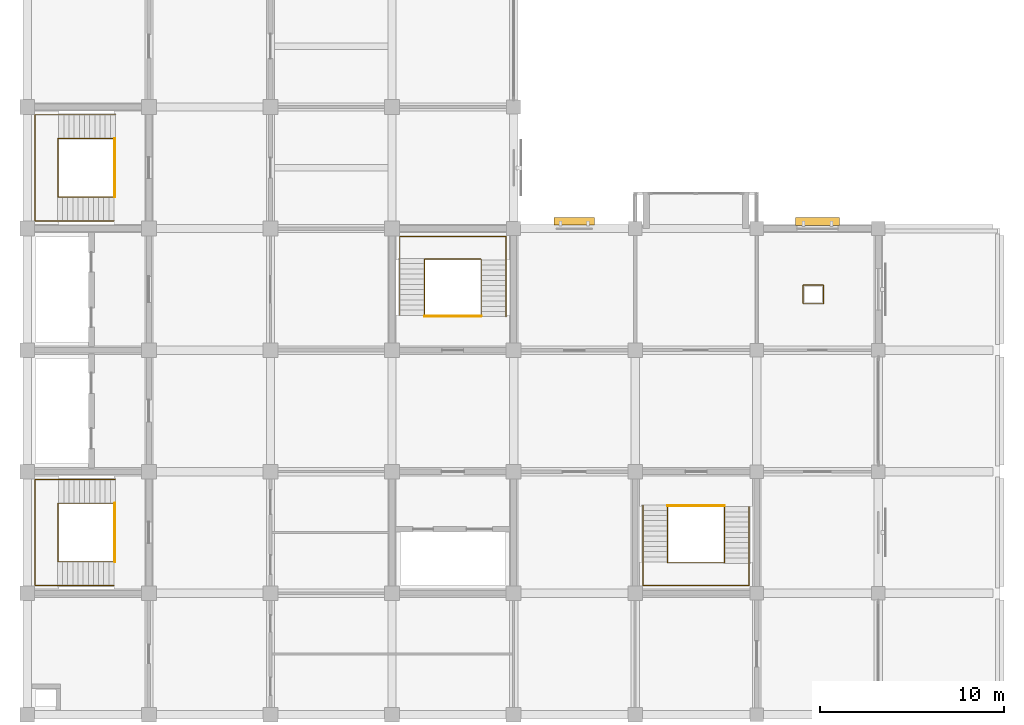
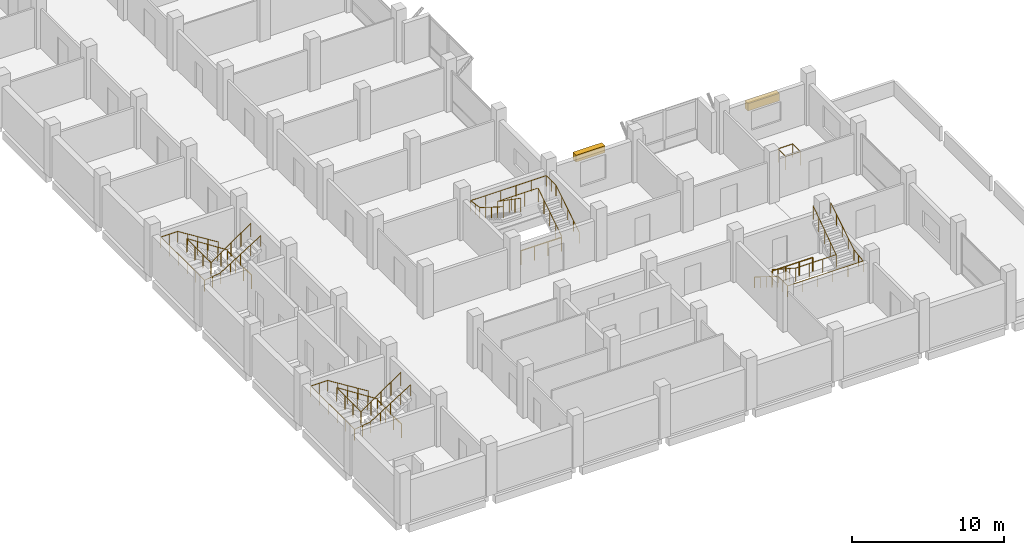
# One storey, part 14 of 15: 13 railings, 2 shading devices.
"""IFC4 building model written with IfcOpenShell, lengths in metres."""

from ifc_helpers import new_model, si_unit, direction, frame, origin, origin_2d, place, context, subcontext, project, spatial, rectangle, circle, extrude, material, type_object, element, save


model = new_model("IFC4")

# Units and contexts
model_context = context("Model", 3, precision=1e-05, world=origin(), true_north=direction((0.0, 1.0)))
body_context = subcontext(model_context, "Body", "Model", "MODEL_VIEW")
ifc_project = project(units=[si_unit("LENGTHUNIT", "METRE"), si_unit("AREAUNIT", "SQUARE_METRE"), si_unit("VOLUMEUNIT", "CUBIC_METRE"), si_unit("PLANEANGLEUNIT", "RADIAN"), si_unit("MASSUNIT", "GRAM", prefix="KILO")], contexts=[model_context])

# Site, building, storey
site_placement = place(None, origin())
site = spatial("IfcSite", under=ifc_project, at=site_placement, CompositionType="ELEMENT")
building_placement = place(site_placement, origin())
building = spatial("IfcBuilding", under=site, at=building_placement, Name="Rusizi Kubbe Research Institute", CompositionType="ELEMENT")
storey_placement = place(building_placement, frame((0.0, 0.0, 27.0)))
storey = spatial("IfcBuildingStorey", under=building, at=storey_placement, Name="L06", CompositionType="ELEMENT", Elevation=27.0)

# Railings
ifc_material_1 = material(Name="Painted Steel Stair Guard", Category="steel")
railing_type_1 = type_object("IfcRailingType", Name="GR-STAIR", PredefinedType="GUARDRAIL", material=ifc_material_1)
railing_1_placement = place(storey_placement, frame((4.780029296875, 11.489990234375, 0.08740234375)))
element("IfcRailing", 1, at=railing_1_placement, inside=storey, type_object=railing_type_1, Name="Stair Inner Well Guard ST1 L06", PredefinedType="GUARDRAIL", context=body_context, shape_type="SweptSolid", body=[
    extrude(circle(Radius=0.02392578125, at=origin_2d()), frame((0.0, 0.0, 1.09619140625), z_axis=(-0.840331431664, 0.0, 0.542072951693), x_axis=(0.0, -1.0, 0.0)), (0.0, 0.0, 1.0), 3.712890625),
    extrude(circle(Radius=0.02392578125, at=origin_2d()), frame((-3.1201171875, 0.0, 3.10888671875), z_axis=(0.0, -1.0, 0.0), x_axis=(1.0, 0.0, 0.0)), (0.0, 0.0, 1.0), 3.179931640625),
    extrude(circle(Radius=0.02392578125, at=origin_2d()), frame((-3.1201171875, -3.179931640625, 3.10888671875), z_axis=(0.822798317177, 0.0, 0.568333466595), x_axis=(0.0, 1.0, 0.0)), (0.0, 0.0, 1.0), 3.69482421875),
    extrude(circle(Radius=0.02099609375, at=origin_2d()), origin(), (0.0, 0.0, 1.0), 1.072021484375),
    extrude(circle(Radius=0.02099609375, at=origin_2d()), frame((-0.780029296875, 0.0, 0.503173828125)), (0.0, 0.0, 1.0), 1.072021484375),
    extrude(circle(Radius=0.02099609375, at=origin_2d()), frame((-1.56005859375, 0.0, 1.00634765625)), (0.0, 0.0, 1.0), 1.072021484375),
    extrude(circle(Radius=0.02099609375, at=origin_2d()), frame((-2.340087890625, 0.0, 1.509521484375)), (0.0, 0.0, 1.0), 1.072021484375),
    extrude(circle(Radius=0.02099609375, at=origin_2d()), frame((-3.1201171875, 0.0, 2.0126953125)), (0.0, 0.0, 1.0), 1.072021484375),
    extrude(circle(Radius=0.02099609375, at=origin_2d()), frame((-3.1201171875, -1.06005859375, 2.0126953125)), (0.0, 0.0, 1.0), 1.072021484375),
    extrude(circle(Radius=0.02099609375, at=origin_2d()), frame((-3.1201171875, -2.119873046875, 2.0126953125)), (0.0, 0.0, 1.0), 1.072021484375),
    extrude(circle(Radius=0.02099609375, at=origin_2d()), frame((-3.1201171875, -3.179931640625, 2.0126953125)), (0.0, 0.0, 1.0), 1.072021484375),
    extrude(circle(Radius=0.02099609375, at=origin_2d()), frame((-2.360107421875, -3.179931640625, 2.53759765625)), (0.0, 0.0, 1.0), 1.072021484375),
    extrude(circle(Radius=0.02099609375, at=origin_2d()), frame((-1.60009765625, -3.179931640625, 3.0625)), (0.0, 0.0, 1.0), 1.072021484375),
    extrude(circle(Radius=0.02099609375, at=origin_2d()), frame((-0.840087890625, -3.179931640625, 3.587646484375)), (0.0, 0.0, 1.0), 1.072021484375),
    extrude(circle(Radius=0.02099609375, at=origin_2d()), frame((-0.080078125, -3.179931640625, 4.112548828125)), (0.0, 0.0, 1.0), 1.072021484375),
])
railing_2_placement = place(storey_placement, frame((4.75, 11.489990234375, 0.0)))
element("IfcRailing", 2, at=railing_2_placement, inside=storey, type_object=railing_type_1, Name="Stair Floor Edge Guard ST1 L06", PredefinedType="GUARDRAIL", context=body_context, shape_type="SweptSolid", body=[
    extrude(circle(Radius=0.02392578125, at=origin_2d()), frame((0.0, 0.0, 1.09619140625), z_axis=(0.0, -1.0, 0.0), x_axis=(1.0, 0.0, 0.0)), (0.0, 0.0, 1.0), 3.179931640625),
    extrude(circle(Radius=0.02099609375, at=origin_2d()), origin(), (0.0, 0.0, 1.0), 1.072021484375),
    extrude(circle(Radius=0.02099609375, at=origin_2d()), frame((0.0, -1.06005859375, 0.0)), (0.0, 0.0, 1.0), 1.072021484375),
    extrude(circle(Radius=0.02099609375, at=origin_2d()), frame((0.0, -2.119873046875, 0.0)), (0.0, 0.0, 1.0), 1.072021484375),
    extrude(circle(Radius=0.02099609375, at=origin_2d()), frame((0.0, -3.179931640625, 0.0)), (0.0, 0.0, 1.0), 1.072021484375),
])
railing_3_placement = place(storey_placement, frame((4.780029296875, 31.2900390625, 0.08740234375)))
element("IfcRailing", 3, at=railing_3_placement, inside=storey, type_object=railing_type_1, Name="Stair Inner Well Guard ST2 L06", PredefinedType="GUARDRAIL", context=body_context, shape_type="SweptSolid", body=[
    extrude(circle(Radius=0.02392578125, at=origin_2d()), frame((0.0, 0.0, 1.09619140625), z_axis=(-0.840331431664, 0.0, 0.542072951693), x_axis=(0.0, -1.0, 0.0)), (0.0, 0.0, 1.0), 3.712890625),
    extrude(circle(Radius=0.02392578125, at=origin_2d()), frame((-3.1201171875, 0.0, 3.10888671875), z_axis=(0.0, -1.0, 0.0), x_axis=(1.0, 0.0, 0.0)), (0.0, 0.0, 1.0), 3.179931640625),
    extrude(circle(Radius=0.02392578125, at=origin_2d()), frame((-3.1201171875, -3.179931640625, 3.10888671875), z_axis=(0.822798317177, 0.0, 0.568333466595), x_axis=(0.0, 1.0, 0.0)), (0.0, 0.0, 1.0), 3.69482421875),
    extrude(circle(Radius=0.02099609375, at=origin_2d()), origin(), (0.0, 0.0, 1.0), 1.072021484375),
    extrude(circle(Radius=0.02099609375, at=origin_2d()), frame((-0.780029296875, 0.0, 0.503173828125)), (0.0, 0.0, 1.0), 1.072021484375),
    extrude(circle(Radius=0.02099609375, at=origin_2d()), frame((-1.56005859375, 0.0, 1.00634765625)), (0.0, 0.0, 1.0), 1.072021484375),
    extrude(circle(Radius=0.02099609375, at=origin_2d()), frame((-2.340087890625, 0.0, 1.509521484375)), (0.0, 0.0, 1.0), 1.072021484375),
    extrude(circle(Radius=0.02099609375, at=origin_2d()), frame((-3.1201171875, 0.0, 2.0126953125)), (0.0, 0.0, 1.0), 1.072021484375),
    extrude(circle(Radius=0.02099609375, at=origin_2d()), frame((-3.1201171875, -1.06005859375, 2.0126953125)), (0.0, 0.0, 1.0), 1.072021484375),
    extrude(circle(Radius=0.02099609375, at=origin_2d()), frame((-3.1201171875, -2.119873046875, 2.0126953125)), (0.0, 0.0, 1.0), 1.072021484375),
    extrude(circle(Radius=0.02099609375, at=origin_2d()), frame((-3.1201171875, -3.179931640625, 2.0126953125)), (0.0, 0.0, 1.0), 1.072021484375),
    extrude(circle(Radius=0.02099609375, at=origin_2d()), frame((-2.360107421875, -3.179931640625, 2.53759765625)), (0.0, 0.0, 1.0), 1.072021484375),
    extrude(circle(Radius=0.02099609375, at=origin_2d()), frame((-1.60009765625, -3.179931640625, 3.0625)), (0.0, 0.0, 1.0), 1.072021484375),
    extrude(circle(Radius=0.02099609375, at=origin_2d()), frame((-0.840087890625, -3.179931640625, 3.587646484375)), (0.0, 0.0, 1.0), 1.072021484375),
    extrude(circle(Radius=0.02099609375, at=origin_2d()), frame((-0.080078125, -3.179931640625, 4.112548828125)), (0.0, 0.0, 1.0), 1.072021484375),
])
railing_4_placement = place(storey_placement, frame((4.75, 31.2900390625, 0.0)))
element("IfcRailing", 4, at=railing_4_placement, inside=storey, type_object=railing_type_1, Name="Stair Floor Edge Guard ST2 L06", PredefinedType="GUARDRAIL", context=body_context, shape_type="SweptSolid", body=[
    extrude(circle(Radius=0.02392578125, at=origin_2d()), frame((0.0, 0.0, 1.09619140625), z_axis=(0.0, -1.0, 0.0), x_axis=(1.0, 0.0, 0.0)), (0.0, 0.0, 1.0), 3.179931640625),
    extrude(circle(Radius=0.02099609375, at=origin_2d()), origin(), (0.0, 0.0, 1.0), 1.072021484375),
    extrude(circle(Radius=0.02099609375, at=origin_2d()), frame((0.0, -1.06005859375, 0.0)), (0.0, 0.0, 1.0), 1.072021484375),
    extrude(circle(Radius=0.02099609375, at=origin_2d()), frame((0.0, -2.119873046875, 0.0)), (0.0, 0.0, 1.0), 1.072021484375),
    extrude(circle(Radius=0.02099609375, at=origin_2d()), frame((0.0, -3.179931640625, 0.0)), (0.0, 0.0, 1.0), 1.072021484375),
])
railing_5_placement = place(storey_placement, frame((24.639892578125, 21.6201171875, 0.08740234375)))
element("IfcRailing", 5, at=railing_5_placement, inside=storey, type_object=railing_type_1, Name="Stair Inner Well Guard ST3 L06", PredefinedType="GUARDRAIL", context=body_context, shape_type="SweptSolid", body=[
    extrude(circle(Radius=0.02392578125, at=origin_2d()), frame((0.0, 0.0, 1.09619140625), z_axis=(0.0, 0.840312108812, 0.542102905161), x_axis=(-1.0, 0.0, 0.0)), (0.0, 0.0, 1.0), 3.712646484375),
    extrude(circle(Radius=0.02392578125, at=origin_2d()), frame((0.0, 3.119873046875, 3.10888671875), z_axis=(-1.0, 0.0, 0.0), x_axis=(0.0, -1.0, 0.0)), (0.0, 0.0, 1.0), 3.079833984375),
    extrude(circle(Radius=0.02392578125, at=origin_2d()), frame((-3.079833984375, 3.119873046875, 3.10888671875), z_axis=(0.0, -0.822798317177, 0.568333466595), x_axis=(1.0, 0.0, 0.0)), (0.0, 0.0, 1.0), 3.69482421875),
    extrude(circle(Radius=0.02099609375, at=origin_2d()), origin(), (0.0, 0.0, 1.0), 1.072021484375),
    extrude(circle(Radius=0.02099609375, at=origin_2d()), frame((0.0, 0.780029296875, 0.503173828125)), (0.0, 0.0, 1.0), 1.072021484375),
    extrude(circle(Radius=0.02099609375, at=origin_2d()), frame((0.0, 1.56005859375, 1.00634765625)), (0.0, 0.0, 1.0), 1.072021484375),
    extrude(circle(Radius=0.02099609375, at=origin_2d()), frame((0.0, 2.33984375, 1.509521484375)), (0.0, 0.0, 1.0), 1.072021484375),
    extrude(circle(Radius=0.02099609375, at=origin_2d()), frame((0.0, 3.119873046875, 2.0126953125)), (0.0, 0.0, 1.0), 1.072021484375),
    extrude(circle(Radius=0.02099609375, at=origin_2d()), frame((-1.026611328125, 3.119873046875, 2.0126953125)), (0.0, 0.0, 1.0), 1.072021484375),
    extrude(circle(Radius=0.02099609375, at=origin_2d()), frame((-2.05322265625, 3.119873046875, 2.0126953125)), (0.0, 0.0, 1.0), 1.072021484375),
    extrude(circle(Radius=0.02099609375, at=origin_2d()), frame((-3.079833984375, 3.119873046875, 2.0126953125)), (0.0, 0.0, 1.0), 1.072021484375),
    extrude(circle(Radius=0.02099609375, at=origin_2d()), frame((-3.079833984375, 2.35986328125, 2.53759765625)), (0.0, 0.0, 1.0), 1.072021484375),
    extrude(circle(Radius=0.02099609375, at=origin_2d()), frame((-3.079833984375, 1.599853515625, 3.0625)), (0.0, 0.0, 1.0), 1.072021484375),
    extrude(circle(Radius=0.02099609375, at=origin_2d()), frame((-3.079833984375, 0.83984375, 3.587646484375)), (0.0, 0.0, 1.0), 1.072021484375),
    extrude(circle(Radius=0.02099609375, at=origin_2d()), frame((-3.079833984375, 0.079833984375, 4.112548828125)), (0.0, 0.0, 1.0), 1.072021484375),
])
railing_6_placement = place(storey_placement, frame((24.639892578125, 21.64990234375, 0.0)))
element("IfcRailing", 6, at=railing_6_placement, inside=storey, type_object=railing_type_1, Name="Stair Floor Edge Guard ST3 L06", PredefinedType="GUARDRAIL", context=body_context, shape_type="SweptSolid", body=[
    extrude(circle(Radius=0.02392578125, at=origin_2d()), frame((0.0, 0.0, 1.09619140625), z_axis=(-1.0, 0.0, 0.0), x_axis=(0.0, -1.0, 0.0)), (0.0, 0.0, 1.0), 3.079833984375),
    extrude(circle(Radius=0.02099609375, at=origin_2d()), origin(), (0.0, 0.0, 1.0), 1.072021484375),
    extrude(circle(Radius=0.02099609375, at=origin_2d()), frame((-1.026611328125, 0.0, 0.0)), (0.0, 0.0, 1.0), 1.072021484375),
    extrude(circle(Radius=0.02099609375, at=origin_2d()), frame((-2.05322265625, 0.0, 0.0)), (0.0, 0.0, 1.0), 1.072021484375),
    extrude(circle(Radius=0.02099609375, at=origin_2d()), frame((-3.079833984375, 0.0, 0.0)), (0.0, 0.0, 1.0), 1.072021484375),
])
railing_7_placement = place(storey_placement, frame((34.760009765625, 11.3798828125, 0.08740234375)))
element("IfcRailing", 7, at=railing_7_placement, inside=storey, type_object=railing_type_1, Name="Stair Inner Well Guard ST4 L06", PredefinedType="GUARDRAIL", context=body_context, shape_type="SweptSolid", body=[
    extrude(circle(Radius=0.02392578125, at=origin_2d()), frame((0.0, 0.0, 1.09619140625), z_axis=(0.0, -0.840312108812, 0.542102905161), x_axis=(1.0, 0.0, 0.0)), (0.0, 0.0, 1.0), 3.712646484375),
    extrude(circle(Radius=0.02392578125, at=origin_2d()), frame((0.0, -3.119873046875, 3.10888671875), z_axis=(1.0, 0.0, 0.0), x_axis=(0.0, 1.0, 0.0)), (0.0, 0.0, 1.0), 3.080078125),
    extrude(circle(Radius=0.02392578125, at=origin_2d()), frame((3.080078125, -3.119873046875, 3.10888671875), z_axis=(0.0, 0.822798317177, 0.568333466595), x_axis=(-1.0, 0.0, 0.0)), (0.0, 0.0, 1.0), 3.69482421875),
    extrude(circle(Radius=0.02099609375, at=origin_2d()), origin(), (0.0, 0.0, 1.0), 1.072021484375),
    extrude(circle(Radius=0.02099609375, at=origin_2d()), frame((0.0, -0.780029296875, 0.503173828125)), (0.0, 0.0, 1.0), 1.072021484375),
    extrude(circle(Radius=0.02099609375, at=origin_2d()), frame((0.0, -1.56005859375, 1.00634765625)), (0.0, 0.0, 1.0), 1.072021484375),
    extrude(circle(Radius=0.02099609375, at=origin_2d()), frame((0.0, -2.33984375, 1.509521484375)), (0.0, 0.0, 1.0), 1.072021484375),
    extrude(circle(Radius=0.02099609375, at=origin_2d()), frame((0.0, -3.119873046875, 2.0126953125)), (0.0, 0.0, 1.0), 1.072021484375),
    extrude(circle(Radius=0.02099609375, at=origin_2d()), frame((1.026611328125, -3.119873046875, 2.0126953125)), (0.0, 0.0, 1.0), 1.072021484375),
    extrude(circle(Radius=0.02099609375, at=origin_2d()), frame((2.053466796875, -3.119873046875, 2.0126953125)), (0.0, 0.0, 1.0), 1.072021484375),
    extrude(circle(Radius=0.02099609375, at=origin_2d()), frame((3.080078125, -3.119873046875, 2.0126953125)), (0.0, 0.0, 1.0), 1.072021484375),
    extrude(circle(Radius=0.02099609375, at=origin_2d()), frame((3.080078125, -2.35986328125, 2.53759765625)), (0.0, 0.0, 1.0), 1.072021484375),
    extrude(circle(Radius=0.02099609375, at=origin_2d()), frame((3.080078125, -1.599853515625, 3.0625)), (0.0, 0.0, 1.0), 1.072021484375),
    extrude(circle(Radius=0.02099609375, at=origin_2d()), frame((3.080078125, -0.83984375, 3.587646484375)), (0.0, 0.0, 1.0), 1.072021484375),
    extrude(circle(Radius=0.02099609375, at=origin_2d()), frame((3.080078125, -0.079833984375, 4.112548828125)), (0.0, 0.0, 1.0), 1.072021484375),
])
railing_8_placement = place(storey_placement, frame((34.760009765625, 11.35009765625, 0.0)))
element("IfcRailing", 8, at=railing_8_placement, inside=storey, type_object=railing_type_1, Name="Stair Floor Edge Guard ST4 L06", PredefinedType="GUARDRAIL", context=body_context, shape_type="SweptSolid", body=[
    extrude(circle(Radius=0.02392578125, at=origin_2d()), frame((0.0, 0.0, 1.09619140625), z_axis=(1.0, 0.0, 0.0), x_axis=(0.0, 1.0, 0.0)), (0.0, 0.0, 1.0), 3.080078125),
    extrude(circle(Radius=0.02099609375, at=origin_2d()), origin(), (0.0, 0.0, 1.0), 1.072021484375),
    extrude(circle(Radius=0.02099609375, at=origin_2d()), frame((1.026611328125, 0.0, 0.0)), (0.0, 0.0, 1.0), 1.072021484375),
    extrude(circle(Radius=0.02099609375, at=origin_2d()), frame((2.053466796875, 0.0, 0.0)), (0.0, 0.0, 1.0), 1.072021484375),
    extrude(circle(Radius=0.02099609375, at=origin_2d()), frame((3.080078125, 0.0, 0.0)), (0.0, 0.0, 1.0), 1.072021484375),
])
railing_9_placement = place(storey_placement, frame((42.1201171875, 22.320068359375, 0.0)))
element("IfcRailing", 9, at=railing_9_placement, inside=storey, type_object=railing_type_1, Name="Service Riser Guard L06 EAST", PredefinedType="GUARDRAIL", context=body_context, shape_type="SweptSolid", body=[
    extrude(circle(Radius=0.02392578125, at=origin_2d()), frame((0.0, 0.0, 1.09619140625), z_axis=(1.0, 0.0, 0.0), x_axis=(0.0, 1.0, 0.0)), (0.0, 0.0, 1.0), 1.10986328125),
    extrude(circle(Radius=0.02392578125, at=origin_2d()), frame((1.10986328125, 0.0, 1.09619140625), z_axis=(0.0, 1.0, 0.0), x_axis=(-1.0, 0.0, 0.0)), (0.0, 0.0, 1.0), 1.010009765625),
    extrude(circle(Radius=0.02392578125, at=origin_2d()), frame((1.10986328125, 1.010009765625, 1.09619140625), z_axis=(-1.0, 0.0, 0.0), x_axis=(0.0, -1.0, 0.0)), (0.0, 0.0, 1.0), 1.10986328125),
    extrude(circle(Radius=0.02392578125, at=origin_2d()), frame((0.0, 1.010009765625, 1.09619140625), z_axis=(0.0, -1.0, 0.0), x_axis=(1.0, 0.0, 0.0)), (0.0, 0.0, 1.0), 1.010009765625),
    extrude(circle(Radius=0.02099609375, at=origin_2d()), origin(), (0.0, 0.0, 1.0), 1.072021484375),
    extrude(circle(Radius=0.02099609375, at=origin_2d()), frame((1.10986328125, 0.0, 0.0)), (0.0, 0.0, 1.0), 1.072021484375),
    extrude(circle(Radius=0.02099609375, at=origin_2d()), frame((1.10986328125, 1.010009765625, 0.0)), (0.0, 0.0, 1.0), 1.072021484375),
    extrude(circle(Radius=0.02099609375, at=origin_2d()), frame((0.0, 1.010009765625, 0.0)), (0.0, 0.0, 1.0), 1.072021484375),
])
ifc_material_2 = material(Name="Brushed Stainless Steel Handrail", Category="steel")
railing_type_2 = type_object("IfcRailingType", Name="HR-STAIR", PredefinedType="HANDRAIL", material=ifc_material_2)
railing_10_placement = place(storey_placement, frame((4.780029296875, 12.780029296875, 0.175048828125)))
element("IfcRailing", 10, at=railing_10_placement, inside=storey, type_object=railing_type_2, Name="Stair Wall Handrail ST1 L06", PredefinedType="HANDRAIL", context=body_context, shape_type="SweptSolid", body=[
    extrude(circle(Radius=0.02392578125, at=origin_2d()), frame((0.0, 0.0, 0.8759765625), z_axis=(-0.847998304005, 0.0, 0.529998940003), x_axis=(0.0, -1.0, 0.0)), (0.0, 0.0, 1.0), 3.632080078125),
    extrude(circle(Radius=0.02392578125, at=origin_2d()), frame((-3.080078125, 0.0, 2.80078125), z_axis=(-1.0, 0.0, 0.0), x_axis=(0.0, -1.0, 0.0)), (0.0, 0.0, 1.0), 1.280029296875),
    extrude(circle(Radius=0.02392578125, at=origin_2d()), frame((-4.360107421875, 0.0, 2.80078125), z_axis=(0.0, -1.0, 0.0), x_axis=(1.0, 0.0, 0.0)), (0.0, 0.0, 1.0), 5.760009765625),
    extrude(circle(Radius=0.02392578125, at=origin_2d()), frame((-4.360107421875, -5.760009765625, 2.80078125), z_axis=(0.98965895042, 0.0, 0.143440447065), x_axis=(0.0, 1.0, 0.0)), (0.0, 0.0, 1.0), 1.21875),
    extrude(circle(Radius=0.02392578125, at=origin_2d()), frame((-3.154052734375, -5.760009765625, 2.9755859375), z_axis=(0.847525270172, 0.0, 0.530755043706), x_axis=(0.0, 1.0, 0.0)), (0.0, 0.0, 1.0), 3.626953125),
    extrude(circle(Radius=0.02099609375, at=origin_2d()), origin(), (0.0, 0.0, 1.0), 0.851806640625),
    extrude(circle(Radius=0.02099609375, at=origin_2d()), frame((-0.77001953125, 0.0, 0.481201171875)), (0.0, 0.0, 1.0), 0.851806640625),
    extrude(circle(Radius=0.02099609375, at=origin_2d()), frame((-1.5400390625, 0.0, 0.96240234375)), (0.0, 0.0, 1.0), 0.851806640625),
    extrude(circle(Radius=0.02099609375, at=origin_2d()), frame((-2.31005859375, 0.0, 1.44384765625)), (0.0, 0.0, 1.0), 0.851806640625),
    extrude(circle(Radius=0.02099609375, at=origin_2d()), frame((-3.080078125, 0.0, 1.925048828125)), (0.0, 0.0, 1.0), 0.851806640625),
    extrude(circle(Radius=0.02099609375, at=origin_2d()), frame((-3.72021484375, 0.0, 1.925048828125)), (0.0, 0.0, 1.0), 0.851806640625),
    extrude(circle(Radius=0.02099609375, at=origin_2d()), frame((-4.360107421875, 0.0, 1.925048828125)), (0.0, 0.0, 1.0), 0.851806640625),
    extrude(circle(Radius=0.02099609375, at=origin_2d()), frame((-4.360107421875, -1.152099609375, 1.925048828125)), (0.0, 0.0, 1.0), 0.851806640625),
    extrude(circle(Radius=0.02099609375, at=origin_2d()), frame((-4.360107421875, -2.303955078125, 1.925048828125)), (0.0, 0.0, 1.0), 0.851806640625),
    extrude(circle(Radius=0.02099609375, at=origin_2d()), frame((-4.360107421875, -3.4560546875, 1.925048828125)), (0.0, 0.0, 1.0), 0.851806640625),
    extrude(circle(Radius=0.02099609375, at=origin_2d()), frame((-4.360107421875, -4.60791015625, 1.925048828125)), (0.0, 0.0, 1.0), 0.851806640625),
    extrude(circle(Radius=0.02099609375, at=origin_2d()), frame((-4.360107421875, -5.760009765625, 1.925048828125)), (0.0, 0.0, 1.0), 0.851806640625),
    extrude(circle(Radius=0.02099609375, at=origin_2d()), frame((-3.757080078125, -5.760009765625, 2.012451171875)), (0.0, 0.0, 1.0), 0.851806640625),
    extrude(circle(Radius=0.02099609375, at=origin_2d()), frame((-3.154052734375, -5.760009765625, 2.099853515625)), (0.0, 0.0, 1.0), 0.851806640625),
    extrude(circle(Radius=0.02099609375, at=origin_2d()), frame((-2.385498046875, -5.760009765625, 2.5810546875)), (0.0, 0.0, 1.0), 0.851806640625),
    extrude(circle(Radius=0.02099609375, at=origin_2d()), frame((-1.6171875, -5.760009765625, 3.0625)), (0.0, 0.0, 1.0), 0.851806640625),
    extrude(circle(Radius=0.02099609375, at=origin_2d()), frame((-0.8486328125, -5.760009765625, 3.543701171875)), (0.0, 0.0, 1.0), 0.851806640625),
    extrude(circle(Radius=0.02099609375, at=origin_2d()), frame((-0.080078125, -5.760009765625, 4.02490234375)), (0.0, 0.0, 1.0), 0.851806640625),
])
railing_11_placement = place(storey_placement, frame((4.780029296875, 32.580078125, 0.175048828125)))
element("IfcRailing", 11, at=railing_11_placement, inside=storey, type_object=railing_type_2, Name="Stair Wall Handrail ST2 L06", PredefinedType="HANDRAIL", context=body_context, shape_type="SweptSolid", body=[
    extrude(circle(Radius=0.02392578125, at=origin_2d()), frame((0.0, 0.0, 0.8759765625), z_axis=(-0.847998304005, 0.0, 0.529998940003), x_axis=(0.0, -1.0, 0.0)), (0.0, 0.0, 1.0), 3.632080078125),
    extrude(circle(Radius=0.02392578125, at=origin_2d()), frame((-3.080078125, 0.0, 2.80078125), z_axis=(-1.0, 0.0, 0.0), x_axis=(0.0, -1.0, 0.0)), (0.0, 0.0, 1.0), 1.280029296875),
    extrude(circle(Radius=0.02392578125, at=origin_2d()), frame((-4.360107421875, 0.0, 2.80078125), z_axis=(0.0, -1.0, 0.0), x_axis=(1.0, 0.0, 0.0)), (0.0, 0.0, 1.0), 5.760009765625),
    extrude(circle(Radius=0.02392578125, at=origin_2d()), frame((-4.360107421875, -5.760009765625, 2.80078125), z_axis=(0.98965895042, 0.0, 0.143440447065), x_axis=(0.0, 1.0, 0.0)), (0.0, 0.0, 1.0), 1.21875),
    extrude(circle(Radius=0.02392578125, at=origin_2d()), frame((-3.154052734375, -5.760009765625, 2.9755859375), z_axis=(0.847525270172, 0.0, 0.530755043706), x_axis=(0.0, 1.0, 0.0)), (0.0, 0.0, 1.0), 3.626953125),
    extrude(circle(Radius=0.02099609375, at=origin_2d()), origin(), (0.0, 0.0, 1.0), 0.851806640625),
    extrude(circle(Radius=0.02099609375, at=origin_2d()), frame((-0.77001953125, 0.0, 0.481201171875)), (0.0, 0.0, 1.0), 0.851806640625),
    extrude(circle(Radius=0.02099609375, at=origin_2d()), frame((-1.5400390625, 0.0, 0.96240234375)), (0.0, 0.0, 1.0), 0.851806640625),
    extrude(circle(Radius=0.02099609375, at=origin_2d()), frame((-2.31005859375, 0.0, 1.44384765625)), (0.0, 0.0, 1.0), 0.851806640625),
    extrude(circle(Radius=0.02099609375, at=origin_2d()), frame((-3.080078125, 0.0, 1.925048828125)), (0.0, 0.0, 1.0), 0.851806640625),
    extrude(circle(Radius=0.02099609375, at=origin_2d()), frame((-3.72021484375, 0.0, 1.925048828125)), (0.0, 0.0, 1.0), 0.851806640625),
    extrude(circle(Radius=0.02099609375, at=origin_2d()), frame((-4.360107421875, 0.0, 1.925048828125)), (0.0, 0.0, 1.0), 0.851806640625),
    extrude(circle(Radius=0.02099609375, at=origin_2d()), frame((-4.360107421875, -1.152099609375, 1.925048828125)), (0.0, 0.0, 1.0), 0.851806640625),
    extrude(circle(Radius=0.02099609375, at=origin_2d()), frame((-4.360107421875, -2.303955078125, 1.925048828125)), (0.0, 0.0, 1.0), 0.851806640625),
    extrude(circle(Radius=0.02099609375, at=origin_2d()), frame((-4.360107421875, -3.4560546875, 1.925048828125)), (0.0, 0.0, 1.0), 0.851806640625),
    extrude(circle(Radius=0.02099609375, at=origin_2d()), frame((-4.360107421875, -4.60791015625, 1.925048828125)), (0.0, 0.0, 1.0), 0.851806640625),
    extrude(circle(Radius=0.02099609375, at=origin_2d()), frame((-4.360107421875, -5.760009765625, 1.925048828125)), (0.0, 0.0, 1.0), 0.851806640625),
    extrude(circle(Radius=0.02099609375, at=origin_2d()), frame((-3.757080078125, -5.760009765625, 2.012451171875)), (0.0, 0.0, 1.0), 0.851806640625),
    extrude(circle(Radius=0.02099609375, at=origin_2d()), frame((-3.154052734375, -5.760009765625, 2.099853515625)), (0.0, 0.0, 1.0), 0.851806640625),
    extrude(circle(Radius=0.02099609375, at=origin_2d()), frame((-2.385498046875, -5.760009765625, 2.5810546875)), (0.0, 0.0, 1.0), 0.851806640625),
    extrude(circle(Radius=0.02099609375, at=origin_2d()), frame((-1.6171875, -5.760009765625, 3.0625)), (0.0, 0.0, 1.0), 0.851806640625),
    extrude(circle(Radius=0.02099609375, at=origin_2d()), frame((-0.8486328125, -5.760009765625, 3.543701171875)), (0.0, 0.0, 1.0), 0.851806640625),
    extrude(circle(Radius=0.02099609375, at=origin_2d()), frame((-0.080078125, -5.760009765625, 4.02490234375)), (0.0, 0.0, 1.0), 0.851806640625),
])
railing_12_placement = place(storey_placement, frame((25.97998046875, 21.6201171875, 0.175048828125)))
element("IfcRailing", 12, at=railing_12_placement, inside=storey, type_object=railing_type_2, Name="Stair Wall Handrail ST3 L06", PredefinedType="HANDRAIL", context=body_context, shape_type="SweptSolid", body=[
    extrude(circle(Radius=0.02392578125, at=origin_2d()), frame((0.0, 0.0, 0.8759765625), z_axis=(0.0, 0.847979421464, 0.530029150871), x_axis=(-1.0, 0.0, 0.0)), (0.0, 0.0, 1.0), 3.632080078125),
    extrude(circle(Radius=0.02392578125, at=origin_2d()), frame((0.0, 3.079833984375, 2.80078125), z_axis=(0.0, 1.0, 0.0), x_axis=(-1.0, 0.0, 0.0)), (0.0, 0.0, 1.0), 1.280029296875),
    extrude(circle(Radius=0.02392578125, at=origin_2d()), frame((0.0, 4.35986328125, 2.80078125), z_axis=(-1.0, 0.0, 0.0), x_axis=(0.0, -1.0, 0.0)), (0.0, 0.0, 1.0), 5.760009765625),
    extrude(circle(Radius=0.02392578125, at=origin_2d()), frame((-5.760009765625, 4.35986328125, 2.80078125), z_axis=(0.0, -0.98965895042, 0.143440447065), x_axis=(1.0, 0.0, 0.0)), (0.0, 0.0, 1.0), 1.21875),
    extrude(circle(Radius=0.02392578125, at=origin_2d()), frame((-5.760009765625, 3.15380859375, 2.9755859375), z_axis=(0.0, -0.847525270172, 0.530755043706), x_axis=(1.0, 0.0, 0.0)), (0.0, 0.0, 1.0), 3.626953125),
    extrude(circle(Radius=0.02099609375, at=origin_2d()), origin(), (0.0, 0.0, 1.0), 0.851806640625),
    extrude(circle(Radius=0.02099609375, at=origin_2d()), frame((0.0, 0.77001953125, 0.481201171875)), (0.0, 0.0, 1.0), 0.851806640625),
    extrude(circle(Radius=0.02099609375, at=origin_2d()), frame((0.0, 1.5400390625, 0.96240234375)), (0.0, 0.0, 1.0), 0.851806640625),
    extrude(circle(Radius=0.02099609375, at=origin_2d()), frame((0.0, 2.309814453125, 1.44384765625)), (0.0, 0.0, 1.0), 0.851806640625),
    extrude(circle(Radius=0.02099609375, at=origin_2d()), frame((0.0, 3.079833984375, 1.925048828125)), (0.0, 0.0, 1.0), 0.851806640625),
    extrude(circle(Radius=0.02099609375, at=origin_2d()), frame((0.0, 3.7197265625, 1.925048828125)), (0.0, 0.0, 1.0), 0.851806640625),
    extrude(circle(Radius=0.02099609375, at=origin_2d()), frame((0.0, 4.35986328125, 1.925048828125)), (0.0, 0.0, 1.0), 0.851806640625),
    extrude(circle(Radius=0.02099609375, at=origin_2d()), frame((-1.152099609375, 4.35986328125, 1.925048828125)), (0.0, 0.0, 1.0), 0.851806640625),
    extrude(circle(Radius=0.02099609375, at=origin_2d()), frame((-2.303955078125, 4.35986328125, 1.925048828125)), (0.0, 0.0, 1.0), 0.851806640625),
    extrude(circle(Radius=0.02099609375, at=origin_2d()), frame((-3.4560546875, 4.35986328125, 1.925048828125)), (0.0, 0.0, 1.0), 0.851806640625),
    extrude(circle(Radius=0.02099609375, at=origin_2d()), frame((-4.60791015625, 4.35986328125, 1.925048828125)), (0.0, 0.0, 1.0), 0.851806640625),
    extrude(circle(Radius=0.02099609375, at=origin_2d()), frame((-5.760009765625, 4.35986328125, 1.925048828125)), (0.0, 0.0, 1.0), 0.851806640625),
    extrude(circle(Radius=0.02099609375, at=origin_2d()), frame((-5.760009765625, 3.7568359375, 2.012451171875)), (0.0, 0.0, 1.0), 0.851806640625),
    extrude(circle(Radius=0.02099609375, at=origin_2d()), frame((-5.760009765625, 3.15380859375, 2.099853515625)), (0.0, 0.0, 1.0), 0.851806640625),
    extrude(circle(Radius=0.02099609375, at=origin_2d()), frame((-5.760009765625, 2.38525390625, 2.5810546875)), (0.0, 0.0, 1.0), 0.851806640625),
    extrude(circle(Radius=0.02099609375, at=origin_2d()), frame((-5.760009765625, 1.61669921875, 3.0625)), (0.0, 0.0, 1.0), 0.851806640625),
    extrude(circle(Radius=0.02099609375, at=origin_2d()), frame((-5.760009765625, 0.848388671875, 3.543701171875)), (0.0, 0.0, 1.0), 0.851806640625),
    extrude(circle(Radius=0.02099609375, at=origin_2d()), frame((-5.760009765625, 0.079833984375, 4.02490234375)), (0.0, 0.0, 1.0), 0.851806640625),
])
railing_13_placement = place(storey_placement, frame((33.419921875, 11.3798828125, 0.175048828125)))
element("IfcRailing", 13, at=railing_13_placement, inside=storey, type_object=railing_type_2, Name="Stair Wall Handrail ST4 L06", PredefinedType="HANDRAIL", context=body_context, shape_type="SweptSolid", body=[
    extrude(circle(Radius=0.02392578125, at=origin_2d()), frame((0.0, 0.0, 0.8759765625), z_axis=(0.0, -0.847979421464, 0.530029150871), x_axis=(1.0, 0.0, 0.0)), (0.0, 0.0, 1.0), 3.632080078125),
    extrude(circle(Radius=0.02392578125, at=origin_2d()), frame((0.0, -3.079833984375, 2.80078125), z_axis=(0.0, -1.0, 0.0), x_axis=(1.0, 0.0, 0.0)), (0.0, 0.0, 1.0), 1.280029296875),
    extrude(circle(Radius=0.02392578125, at=origin_2d()), frame((0.0, -4.35986328125, 2.80078125), z_axis=(1.0, 0.0, 0.0), x_axis=(0.0, 1.0, 0.0)), (0.0, 0.0, 1.0), 5.760009765625),
    extrude(circle(Radius=0.02392578125, at=origin_2d()), frame((5.760009765625, -4.35986328125, 2.80078125), z_axis=(0.0, 0.98965895042, 0.143440447065), x_axis=(-1.0, 0.0, 0.0)), (0.0, 0.0, 1.0), 1.21875),
    extrude(circle(Radius=0.02392578125, at=origin_2d()), frame((5.760009765625, -3.15380859375, 2.9755859375), z_axis=(0.0, 0.847525270172, 0.530755043706), x_axis=(-1.0, 0.0, 0.0)), (0.0, 0.0, 1.0), 3.626953125),
    extrude(circle(Radius=0.02099609375, at=origin_2d()), origin(), (0.0, 0.0, 1.0), 0.851806640625),
    extrude(circle(Radius=0.02099609375, at=origin_2d()), frame((0.0, -0.77001953125, 0.481201171875)), (0.0, 0.0, 1.0), 0.851806640625),
    extrude(circle(Radius=0.02099609375, at=origin_2d()), frame((0.0, -1.5400390625, 0.96240234375)), (0.0, 0.0, 1.0), 0.851806640625),
    extrude(circle(Radius=0.02099609375, at=origin_2d()), frame((0.0, -2.309814453125, 1.44384765625)), (0.0, 0.0, 1.0), 0.851806640625),
    extrude(circle(Radius=0.02099609375, at=origin_2d()), frame((0.0, -3.079833984375, 1.925048828125)), (0.0, 0.0, 1.0), 0.851806640625),
    extrude(circle(Radius=0.02099609375, at=origin_2d()), frame((0.0, -3.7197265625, 1.925048828125)), (0.0, 0.0, 1.0), 0.851806640625),
    extrude(circle(Radius=0.02099609375, at=origin_2d()), frame((0.0, -4.35986328125, 1.925048828125)), (0.0, 0.0, 1.0), 0.851806640625),
    extrude(circle(Radius=0.02099609375, at=origin_2d()), frame((1.152099609375, -4.35986328125, 1.925048828125)), (0.0, 0.0, 1.0), 0.851806640625),
    extrude(circle(Radius=0.02099609375, at=origin_2d()), frame((2.303955078125, -4.35986328125, 1.925048828125)), (0.0, 0.0, 1.0), 0.851806640625),
    extrude(circle(Radius=0.02099609375, at=origin_2d()), frame((3.4560546875, -4.35986328125, 1.925048828125)), (0.0, 0.0, 1.0), 0.851806640625),
    extrude(circle(Radius=0.02099609375, at=origin_2d()), frame((4.60791015625, -4.35986328125, 1.925048828125)), (0.0, 0.0, 1.0), 0.851806640625),
    extrude(circle(Radius=0.02099609375, at=origin_2d()), frame((5.760009765625, -4.35986328125, 1.925048828125)), (0.0, 0.0, 1.0), 0.851806640625),
    extrude(circle(Radius=0.02099609375, at=origin_2d()), frame((5.760009765625, -3.7568359375, 2.012451171875)), (0.0, 0.0, 1.0), 0.851806640625),
    extrude(circle(Radius=0.02099609375, at=origin_2d()), frame((5.760009765625, -3.15380859375, 2.099853515625)), (0.0, 0.0, 1.0), 0.851806640625),
    extrude(circle(Radius=0.02099609375, at=origin_2d()), frame((5.760009765625, -2.38525390625, 2.5810546875)), (0.0, 0.0, 1.0), 0.851806640625),
    extrude(circle(Radius=0.02099609375, at=origin_2d()), frame((5.760009765625, -1.61669921875, 3.0625)), (0.0, 0.0, 1.0), 0.851806640625),
    extrude(circle(Radius=0.02099609375, at=origin_2d()), frame((5.760009765625, -0.848388671875, 3.543701171875)), (0.0, 0.0, 1.0), 0.851806640625),
    extrude(circle(Radius=0.02099609375, at=origin_2d()), frame((5.760009765625, -0.079833984375, 4.02490234375)), (0.0, 0.0, 1.0), 0.851806640625),
])

# Shading devices
ifc_material_3 = material(Name="Extruded Aluminium Solar Louver", Category="aluminium")
shading_device_type_1 = type_object("IfcShadingDeviceType", Name="SD-01", PredefinedType="SHUTTER", material=ifc_material_3)
shading_device_1_placement = place(storey_placement, frame((42.89990234375, 26.782470703125, 2.31005859375), z_axis=(0.0, 0.0, 1.0), x_axis=(1.0, 0.0, 0.0)))
element("IfcShadingDevice", 14, at=shading_device_1_placement, inside=storey, type_object=shading_device_type_1, Name="Solar Shading Louver SD-01-040", PredefinedType="SHUTTER", context=body_context, shape_type="SweptSolid", body=[
    extrude(rectangle(XDim=2.39990234375, YDim=0.419921875, at=origin_2d()), origin(), (0.0, 0.0, 1.0), 0.60009765625),
])
ifc_material_4 = material(Name="Extruded Aluminium Solar Louver", Category="aluminium")
shading_device_type_2 = type_object("IfcShadingDeviceType", Name="SD-04", PredefinedType="SHUTTER", material=ifc_material_4)
shading_device_2_placement = place(storey_placement, frame((29.699951171875, 26.797607421875, 2.77490234375), z_axis=(0.0, 0.0, 1.0), x_axis=(1.0, 0.0, 0.0)))
element("IfcShadingDevice", 15, at=shading_device_2_placement, inside=storey, type_object=shading_device_type_2, Name="Solar Shading Louver SD-04-039", PredefinedType="SHUTTER", context=body_context, shape_type="SweptSolid", body=[
    extrude(rectangle(XDim=2.199951171875, YDim=0.419921875, at=origin_2d()), origin(), (0.0, 0.0, 1.0), 0.550048828125),
])

save(model, "model.ifc")
